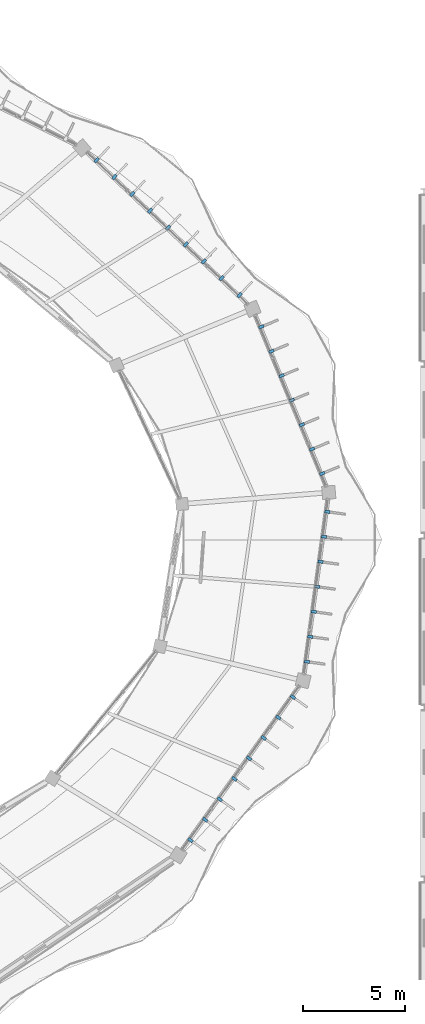
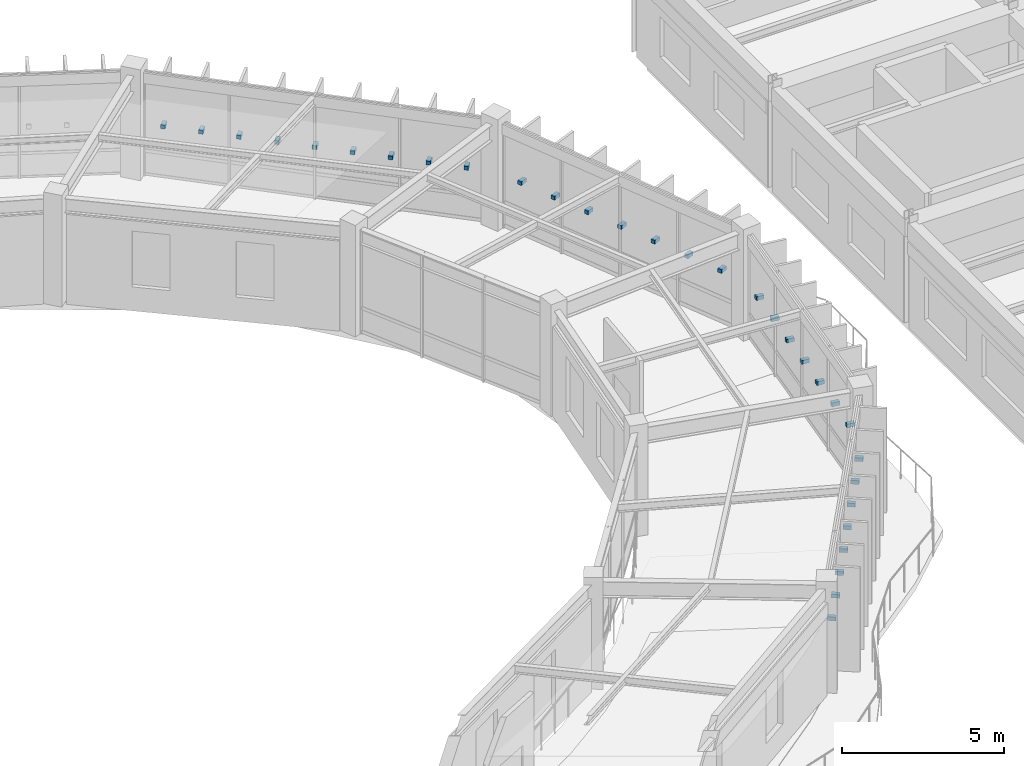
# One storey, part 103 of 114: 31 discrete accessories.
"""IFC4 building model written with IfcOpenShell, lengths in metres."""

from ifc_helpers import new_model, si_unit, direction, frame, origin, origin_2d, place, context, subcontext, project, spatial, rectangle, extrude, material, type_object, element, save


model = new_model("IFC4")

# Units and contexts
model_context = context("Model", 3, precision=1e-05, world=origin(), true_north=direction((0.0, 1.0)))
body_context = subcontext(model_context, "Body", "Model", "MODEL_VIEW")
ifc_project = project(units=[si_unit("LENGTHUNIT", "METRE"), si_unit("AREAUNIT", "SQUARE_METRE"), si_unit("VOLUMEUNIT", "CUBIC_METRE"), si_unit("PLANEANGLEUNIT", "RADIAN"), si_unit("MASSUNIT", "GRAM", prefix="KILO"), si_unit("THERMODYNAMICTEMPERATUREUNIT", "KELVIN"), si_unit("POWERUNIT", "WATT")], contexts=[model_context])

# Site, building, storey
site_placement = place(None, origin())
site = spatial("IfcSite", under=ifc_project, at=site_placement, CompositionType="ELEMENT")
building_placement = place(site_placement, origin())
building = spatial("IfcBuilding", under=site, at=building_placement, Name="Darbajah Civic Hall", CompositionType="ELEMENT")
storey_placement = place(building_placement, frame((0.0, 0.0, 13.800048828125)))
storey = spatial("IfcBuildingStorey", under=building, at=storey_placement, Name="L03", CompositionType="ELEMENT", Elevation=13.800048828125)

# Discrete accessories
ifc_material = material(Name="Stainless Steel S355JR", Category="steel")
discrete_accessory_type = type_object("IfcDiscreteAccessoryType", Name="Stainless Facade Support Bracket", PredefinedType="BRACKET", material=ifc_material)
for number, where, z_axis, x_axis, name in (
    (1, (139.624755859375, 93.037353515625, 1.89013671875), (0.0, 0.0, 1.0), (0.923612143954, 0.383328328644, 0.0), "L03 shading fin bracket 00-1"),
    (2, (139.12841796875, 94.233154296875, 1.89013671875), (0.0, 0.0, 1.0), (0.923612143954, 0.383328328644, 0.0), "L03 shading fin bracket 00-2"),
    (3, (138.632080078125, 95.428955078125, 1.89013671875), (0.0, 0.0, 1.0), (0.923612143954, 0.383328328644, 0.0), "L03 shading fin bracket 00-3"),
    (4, (138.1357421875, 96.624755859375, 1.89013671875), (0.0, 0.0, 1.0), (0.923612143954, 0.383328328644, 0.0), "L03 shading fin bracket 00-4"),
    (5, (137.639404296875, 97.82080078125, 1.89013671875), (0.0, 0.0, 1.0), (0.923612143954, 0.383328328644, 0.0), "L03 shading fin bracket 00-5"),
    (6, (137.143310546875, 99.0166015625, 1.89013671875), (0.0, 0.0, 1.0), (0.923612143954, 0.383328328644, 0.0), "L03 shading fin bracket 00-6"),
    (7, (136.64697265625, 100.21240234375, 1.89013671875), (0.0, 0.0, 1.0), (0.923612143954, 0.383328328644, 0.0), "L03 shading fin bracket 00-7"),
    (8, (135.58447265625, 101.76953125, 1.89013671875), (0.0, 0.0, 1.0), (0.686453193248, 0.727173991201, 0.0), "L03 shading fin bracket 01-1"),
    (9, (134.7109375, 102.593994140625, 1.89013671875), (0.0, 0.0, 1.0), (0.686453193248, 0.727173991201, 0.0), "L03 shading fin bracket 01-2"),
    (10, (133.83740234375, 103.418701171875, 1.89013671875), (0.0, 0.0, 1.0), (0.686453193248, 0.727173991201, 0.0), "L03 shading fin bracket 01-3"),
    (11, (132.964111328125, 104.2431640625, 1.89013671875), (0.0, 0.0, 1.0), (0.686453193248, 0.727173991201, 0.0), "L03 shading fin bracket 01-4"),
    (12, (132.090576171875, 105.067626953125, 1.89013671875), (0.0, 0.0, 1.0), (0.686453193248, 0.727173991201, 0.0), "L03 shading fin bracket 01-5"),
    (13, (131.217041015625, 105.89208984375, 1.89013671875), (0.0, 0.0, 1.0), (0.686453193248, 0.727173991201, 0.0), "L03 shading fin bracket 01-6"),
    (14, (130.343505859375, 106.716552734375, 1.89013671875), (0.0, 0.0, 1.0), (0.686453193248, 0.727173991201, 0.0), "L03 shading fin bracket 01-7"),
    (15, (129.469970703125, 107.541015625, 1.89013671875), (0.0, 0.0, 1.0), (0.686453193248, 0.727173991201, 0.0), "L03 shading fin bracket 01-8"),
    (16, (128.596435546875, 108.365478515625, 1.89013671875), (0.0, 0.0, 1.0), (0.686453193248, 0.727173991201, 0.0), "L03 shading fin bracket 01-9"),
    (17, (133.181640625, 75.116943359375, 1.89013671875), (0.0, 0.0, 1.0), (0.812999149039, -0.582264874145, 0.0), "L03 shading fin bracket 18-1"),
    (18, (133.897216796875, 76.116455078125, 1.89013671875), (0.0, 0.0, 1.0), (0.812999149039, -0.582264874145, 0.0), "L03 shading fin bracket 18-2"),
    (19, (134.613037109375, 77.11572265625, 1.89013671875), (0.0, 0.0, 1.0), (0.812999149039, -0.582264874145, 0.0), "L03 shading fin bracket 18-3"),
    (20, (135.32861328125, 78.115234375, 1.89013671875), (0.0, 0.0, 1.0), (0.812999149039, -0.582264874145, 0.0), "L03 shading fin bracket 18-4"),
    (21, (136.04443359375, 79.114501953125, 1.89013671875), (0.0, 0.0, 1.0), (0.812999149039, -0.582264874145, 0.0), "L03 shading fin bracket 18-5"),
    (22, (136.760009765625, 80.114013671875, 1.89013671875), (0.0, 0.0, 1.0), (0.812999149039, -0.582264874145, 0.0), "L03 shading fin bracket 18-6"),
    (23, (137.475830078125, 81.11328125, 1.89013671875), (0.0, 0.0, 1.0), (0.812999149039, -0.582264874145, 0.0), "L03 shading fin bracket 18-7"),
    (24, (138.19140625, 82.11279296875, 1.89013671875), (0.0, 0.0, 1.0), (0.812999149039, -0.582264874145, 0.0), "L03 shading fin bracket 18-8"),
    (25, (138.877685546875, 83.840087890625, 1.89013671875), (0.0, 0.0, 1.0), (0.990865897387, -0.134850930274, 0.0), "L03 shading fin bracket 19-1"),
    (26, (139.043701171875, 85.06201171875, 1.89013671875), (0.0, 0.0, 1.0), (0.990865897387, -0.134850930274, 0.0), "L03 shading fin bracket 19-2"),
    (27, (139.210205078125, 86.283935546875, 1.89013671875), (0.0, 0.0, 1.0), (0.990865897387, -0.134850930274, 0.0), "L03 shading fin bracket 19-3"),
    (28, (139.376220703125, 87.505859375, 1.89013671875), (0.0, 0.0, 1.0), (0.990865897387, -0.134850930274, 0.0), "L03 shading fin bracket 19-4"),
    (29, (139.54248046875, 88.727783203125, 1.89013671875), (0.0, 0.0, 1.0), (0.990865897387, -0.134850930274, 0.0), "L03 shading fin bracket 19-5"),
    (30, (139.708740234375, 89.94970703125, 1.89013671875), (0.0, 0.0, 1.0), (0.990865897387, -0.134850930274, 0.0), "L03 shading fin bracket 19-6"),
    (31, (139.875, 91.17138671875, 1.89013671875), (0.0, 0.0, 1.0), (0.990865897387, -0.134850930274, 0.0), "L03 shading fin bracket 19-7"),
):
    element("IfcDiscreteAccessory", number, at=place(storey_placement, frame(where, z_axis=z_axis, x_axis=x_axis)), inside=storey, type_object=discrete_accessory_type, Name=name, PredefinedType="BRACKET", context=body_context, shape_type="SweptSolid", body=[
        extrude(rectangle(XDim=0.260009765625, YDim=0.139892578125, at=origin_2d()), origin(), (0.0, 0.0, 1.0), 0.139892578125),
    ])

save(model, "model.ifc")
